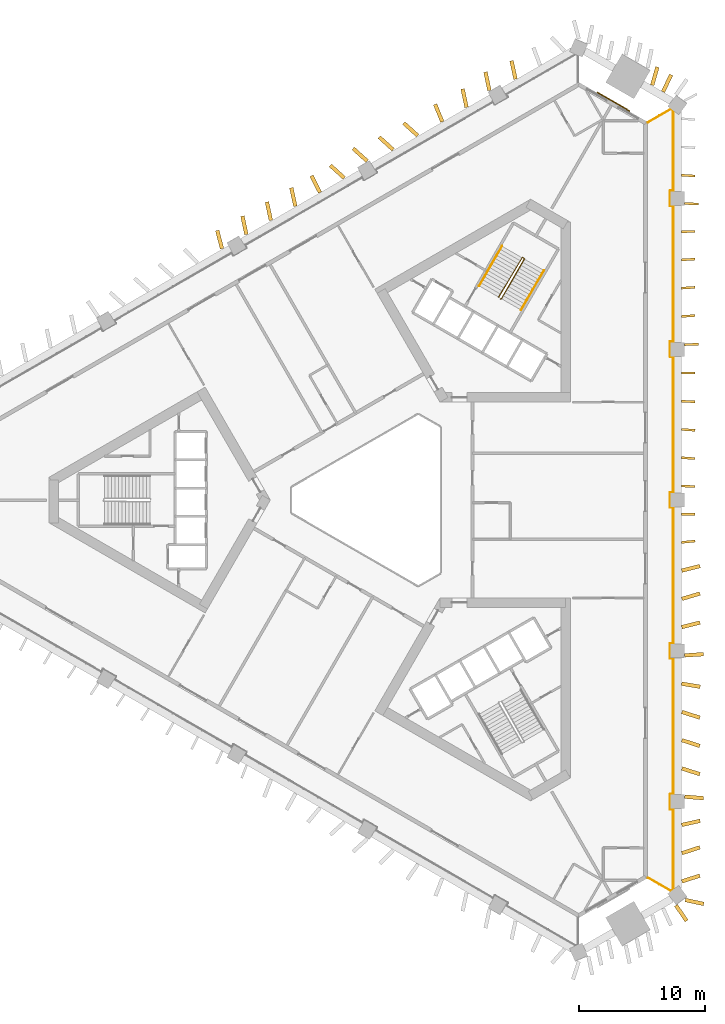
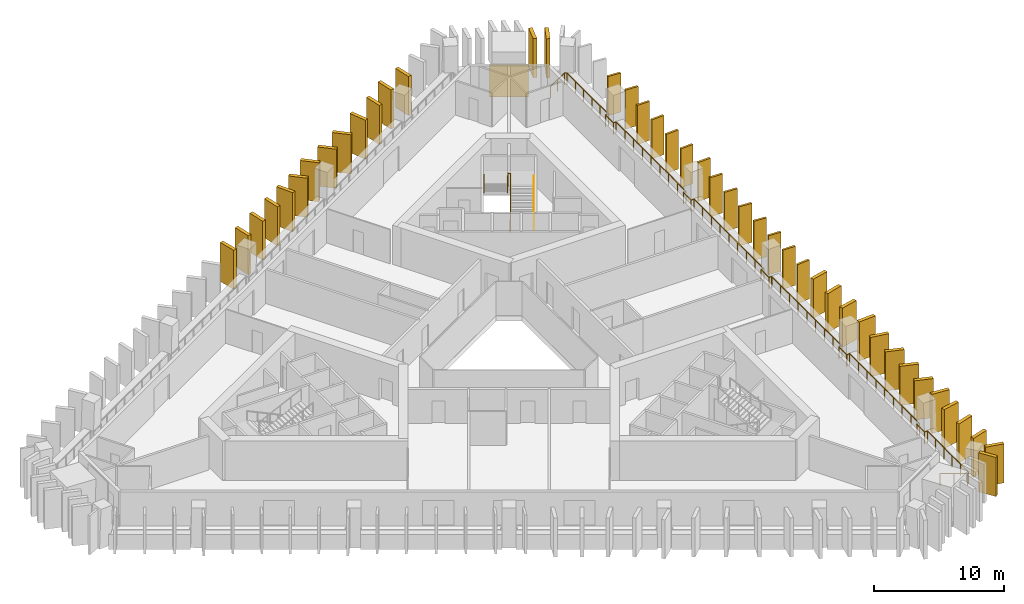
# One storey, part 10 of 11: 43 shading devices, 4 railings, 1 covering.
"""IFC4 building model written with IfcOpenShell, lengths in metres."""

from ifc_helpers import new_model, si_unit, direction, frame, frame_2d, origin, origin_2d, place, context, subcontext, project, spatial, rectangle, circle, extrude, material, layer, layer_set, type_object, element, save


model = new_model("IFC4")

# Units and contexts
model_context = context("Model", 3, precision=1e-05, world=origin(), true_north=direction((0.0, 1.0)))
body_context = subcontext(model_context, "Body", "Model", "MODEL_VIEW")
ifc_project = project(units=[si_unit("LENGTHUNIT", "METRE"), si_unit("AREAUNIT", "SQUARE_METRE"), si_unit("VOLUMEUNIT", "CUBIC_METRE"), si_unit("PLANEANGLEUNIT", "RADIAN"), si_unit("MASSUNIT", "GRAM", prefix="KILO")], contexts=[model_context])

# Site, building, storey
site_placement = place(None, origin())
site = spatial("IfcSite", under=ifc_project, at=site_placement, CompositionType="ELEMENT")
building_placement = place(site_placement, origin())
building = spatial("IfcBuilding", under=site, at=building_placement, Name="Jabali Bay Hotel Tower and Convention Centre", CompositionType="ELEMENT")
storey_placement = place(building_placement, frame((0.0, 0.0, 61.0)))
storey = spatial("IfcBuildingStorey", under=building, at=storey_placement, Name="L13", CompositionType="ELEMENT", Elevation=61.0)

# Railing
ifc_material_1 = material(Name="Glass", Category="glass")
railing_type_1 = type_object("IfcRailingType", Name="Loggia glass guard 1100", PredefinedType="BALUSTRADE", material=ifc_material_1)
railing_1_placement = place(storey_placement, frame((96.07421875, 110.0703125, 0.0)))
element("IfcRailing", 1, at=railing_1_placement, inside=storey, type_object=railing_type_1, Name="Loggia glass guard L13", PredefinedType="BALUSTRADE", context=body_context, shape_type="SweptSolid", body=[
    extrude(circle(Radius=0.02490234375, at=origin_2d()), frame((0.0, 0.0, 1.0751953125), z_axis=(0.865977518836, 0.500082929993, 0.0), x_axis=(-0.495804651202, 0.858568961115, 0.13052619222)), (0.0, 0.0, 1.0), 2.110595703125),
    extrude(circle(Radius=0.02490234375, at=origin_2d()), frame((1.82763671875, 1.055419921875, 1.0751953125), z_axis=(0.802448385705, -0.596721533279, 0.0), x_axis=(0.591616497841, 0.795583328525, 0.13052619222)), (0.0, 0.0, 1.0), 0.21484375),
    extrude(circle(Radius=0.02490234375, at=origin_2d()), frame((2.0, 0.92724609375, 1.0751953125), z_axis=(0.0, -1.0, 0.0), x_axis=(0.991444861374, 0.0, 0.13052619222)), (0.0, 0.0, 1.0), 6.378662109375),
    extrude(circle(Radius=0.02490234375, at=origin_2d()), frame((2.0, -5.451416015625, 1.0751953125), z_axis=(-1.0, 0.0, 0.0), x_axis=(0.0, -0.991444861374, 0.13052619222)), (0.0, 0.0, 1.0), 0.25),
    extrude(circle(Radius=0.02490234375, at=origin_2d()), frame((1.75, -5.451416015625, 1.0751953125), z_axis=(0.0, -1.0, 0.0), x_axis=(0.991444861374, 0.0, 0.13052619222)), (0.0, 0.0, 1.0), 1.199951171875),
    extrude(circle(Radius=0.02490234375, at=origin_2d()), frame((1.75, -6.6513671875, 1.0751953125), z_axis=(1.0, 0.0, 0.0), x_axis=(0.0, 0.991444861374, 0.13052619222)), (0.0, 0.0, 1.0), 0.25),
    extrude(circle(Radius=0.02490234375, at=origin_2d()), frame((2.0, -6.6513671875, 1.0751953125), z_axis=(0.0, -1.0, 0.0), x_axis=(0.991444861374, 0.0, 0.13052619222)), (0.0, 0.0, 1.0), 10.8095703125),
    extrude(circle(Radius=0.02490234375, at=origin_2d()), frame((2.0, -17.4609375, 1.0751953125), z_axis=(-1.0, 0.0, 0.0), x_axis=(0.0, -0.991444861374, 0.13052619222)), (0.0, 0.0, 1.0), 0.25),
    extrude(circle(Radius=0.02490234375, at=origin_2d()), frame((1.75, -17.4609375, 1.0751953125), z_axis=(0.0, -1.0, 0.0), x_axis=(0.991444861374, 0.0, 0.13052619222)), (0.0, 0.0, 1.0), 1.199951171875),
    extrude(circle(Radius=0.02490234375, at=origin_2d()), frame((1.75, -18.660888671875, 1.0751953125), z_axis=(1.0, 0.0, 0.0), x_axis=(0.0, 0.991444861374, 0.13052619222)), (0.0, 0.0, 1.0), 0.25),
    extrude(circle(Radius=0.02490234375, at=origin_2d()), frame((2.0, -18.660888671875, 1.0751953125), z_axis=(0.0, -1.0, 0.0), x_axis=(0.991444861374, 0.0, 0.13052619222)), (0.0, 0.0, 1.0), 10.809326171875),
    extrude(circle(Radius=0.02490234375, at=origin_2d()), frame((2.0, -29.47021484375, 1.0751953125), z_axis=(-1.0, 0.0, 0.0), x_axis=(0.0, -0.991444861374, 0.13052619222)), (0.0, 0.0, 1.0), 0.25),
    extrude(circle(Radius=0.02490234375, at=origin_2d()), frame((1.75, -29.47021484375, 1.0751953125), z_axis=(0.0, -1.0, 0.0), x_axis=(0.991444861374, 0.0, 0.13052619222)), (0.0, 0.0, 1.0), 1.2001953125),
    extrude(circle(Radius=0.02490234375, at=origin_2d()), frame((1.75, -30.67041015625, 1.0751953125), z_axis=(1.0, 0.0, 0.0), x_axis=(0.0, 0.991444861374, 0.13052619222)), (0.0, 0.0, 1.0), 0.25),
    extrude(circle(Radius=0.02490234375, at=origin_2d()), frame((2.0, -30.67041015625, 1.0751953125), z_axis=(0.0, -1.0, 0.0), x_axis=(0.991444861374, 0.0, 0.13052619222)), (0.0, 0.0, 1.0), 10.809326171875),
    extrude(circle(Radius=0.02490234375, at=origin_2d()), frame((2.0, -41.479736328125, 1.0751953125), z_axis=(-1.0, 0.0, 0.0), x_axis=(0.0, -0.991444861374, 0.13052619222)), (0.0, 0.0, 1.0), 0.25),
    extrude(circle(Radius=0.02490234375, at=origin_2d()), frame((1.75, -41.479736328125, 1.0751953125), z_axis=(0.0, -1.0, 0.0), x_axis=(0.991444861374, 0.0, 0.13052619222)), (0.0, 0.0, 1.0), 1.199951171875),
    extrude(circle(Radius=0.02490234375, at=origin_2d()), frame((1.75, -42.6796875, 1.0751953125), z_axis=(1.0, 0.0, 0.0), x_axis=(0.0, 0.991444861374, 0.13052619222)), (0.0, 0.0, 1.0), 0.25),
    extrude(circle(Radius=0.02490234375, at=origin_2d()), frame((2.0, -42.6796875, 1.0751953125), z_axis=(0.0, -1.0, 0.0), x_axis=(0.991444861374, 0.0, 0.13052619222)), (0.0, 0.0, 1.0), 10.8095703125),
    extrude(circle(Radius=0.02490234375, at=origin_2d()), frame((2.0, -53.4892578125, 1.0751953125), z_axis=(-1.0, 0.0, 0.0), x_axis=(0.0, -0.991444861374, 0.13052619222)), (0.0, 0.0, 1.0), 0.25),
    extrude(circle(Radius=0.02490234375, at=origin_2d()), frame((1.75, -53.4892578125, 1.0751953125), z_axis=(0.0, -1.0, 0.0), x_axis=(0.991444861374, 0.0, 0.13052619222)), (0.0, 0.0, 1.0), 1.199951171875),
    extrude(circle(Radius=0.02490234375, at=origin_2d()), frame((1.75, -54.689208984375, 1.0751953125), z_axis=(1.0, 0.0, 0.0), x_axis=(0.0, 0.991444861374, 0.13052619222)), (0.0, 0.0, 1.0), 0.25),
    extrude(circle(Radius=0.02490234375, at=origin_2d()), frame((2.0, -54.689208984375, 1.0751953125), z_axis=(0.0, -1.0, 0.0), x_axis=(0.991444861374, 0.0, 0.13052619222)), (0.0, 0.0, 1.0), 6.378662109375),
    extrude(circle(Radius=0.02490234375, at=origin_2d()), frame((2.0, -61.06787109375, 1.0751953125), z_axis=(-0.802448385705, -0.596721533279, 0.0), x_axis=(0.591616497841, -0.795583328525, 0.13052619222)), (0.0, 0.0, 1.0), 0.21484375),
    extrude(circle(Radius=0.02490234375, at=origin_2d()), frame((1.82763671875, -61.196044921875, 1.0751953125), z_axis=(-0.865977518836, 0.500082929993, 0.0), x_axis=(-0.495804651202, -0.858568961115, 0.13052619222)), (0.0, 0.0, 1.0), 2.110595703125),
    extrude(circle(Radius=0.02001953125, at=origin_2d()), origin(), (0.0, 0.0, 1.0), 1.050048828125),
    extrude(circle(Radius=0.02001953125, at=origin_2d()), frame((0.913818359375, 0.52783203125, 0.0)), (0.0, 0.0, 1.0), 1.050048828125),
    extrude(circle(Radius=0.02001953125, at=origin_2d()), frame((1.82763671875, 1.055419921875, 0.0)), (0.0, 0.0, 1.0), 1.050048828125),
    extrude(circle(Radius=0.02001953125, at=origin_2d()), frame((2.0, 0.92724609375, 0.0)), (0.0, 0.0, 1.0), 1.050048828125),
    extrude(circle(Radius=0.02001953125, at=origin_2d()), frame((2.0, -0.348388671875, 0.0)), (0.0, 0.0, 1.0), 1.050048828125),
    extrude(circle(Radius=0.02001953125, at=origin_2d()), frame((2.0, -1.624267578125, 0.0)), (0.0, 0.0, 1.0), 1.050048828125),
    extrude(circle(Radius=0.02001953125, at=origin_2d()), frame((2.0, -2.89990234375, 0.0)), (0.0, 0.0, 1.0), 1.050048828125),
    extrude(circle(Radius=0.02001953125, at=origin_2d()), frame((2.0, -4.17578125, 0.0)), (0.0, 0.0, 1.0), 1.050048828125),
    extrude(circle(Radius=0.02001953125, at=origin_2d()), frame((2.0, -5.451416015625, 0.0)), (0.0, 0.0, 1.0), 1.050048828125),
    extrude(circle(Radius=0.02001953125, at=origin_2d()), frame((1.75, -5.451416015625, 0.0)), (0.0, 0.0, 1.0), 1.050048828125),
    extrude(circle(Radius=0.02001953125, at=origin_2d()), frame((1.75, -6.6513671875, 0.0)), (0.0, 0.0, 1.0), 1.050048828125),
    extrude(circle(Radius=0.02001953125, at=origin_2d()), frame((2.0, -6.6513671875, 0.0)), (0.0, 0.0, 1.0), 1.050048828125),
    extrude(circle(Radius=0.02001953125, at=origin_2d()), frame((2.0, -8.00244140625, 0.0)), (0.0, 0.0, 1.0), 1.050048828125),
    extrude(circle(Radius=0.02001953125, at=origin_2d()), frame((2.0, -9.353759765625, 0.0)), (0.0, 0.0, 1.0), 1.050048828125),
    extrude(circle(Radius=0.02001953125, at=origin_2d()), frame((2.0, -10.705078125, 0.0)), (0.0, 0.0, 1.0), 1.050048828125),
    extrude(circle(Radius=0.02001953125, at=origin_2d()), frame((2.0, -12.05615234375, 0.0)), (0.0, 0.0, 1.0), 1.050048828125),
    extrude(circle(Radius=0.02001953125, at=origin_2d()), frame((2.0, -13.4072265625, 0.0)), (0.0, 0.0, 1.0), 1.050048828125),
    extrude(circle(Radius=0.02001953125, at=origin_2d()), frame((2.0, -14.758544921875, 0.0)), (0.0, 0.0, 1.0), 1.050048828125),
    extrude(circle(Radius=0.02001953125, at=origin_2d()), frame((2.0, -16.10986328125, 0.0)), (0.0, 0.0, 1.0), 1.050048828125),
    extrude(circle(Radius=0.02001953125, at=origin_2d()), frame((2.0, -17.4609375, 0.0)), (0.0, 0.0, 1.0), 1.050048828125),
    extrude(circle(Radius=0.02001953125, at=origin_2d()), frame((1.75, -17.4609375, 0.0)), (0.0, 0.0, 1.0), 1.050048828125),
    extrude(circle(Radius=0.02001953125, at=origin_2d()), frame((1.75, -18.660888671875, 0.0)), (0.0, 0.0, 1.0), 1.050048828125),
    extrude(circle(Radius=0.02001953125, at=origin_2d()), frame((2.0, -18.660888671875, 0.0)), (0.0, 0.0, 1.0), 1.050048828125),
    extrude(circle(Radius=0.02001953125, at=origin_2d()), frame((2.0, -20.011962890625, 0.0)), (0.0, 0.0, 1.0), 1.050048828125),
    extrude(circle(Radius=0.02001953125, at=origin_2d()), frame((2.0, -21.36328125, 0.0)), (0.0, 0.0, 1.0), 1.050048828125),
    extrude(circle(Radius=0.02001953125, at=origin_2d()), frame((2.0, -22.71435546875, 0.0)), (0.0, 0.0, 1.0), 1.050048828125),
    extrude(circle(Radius=0.02001953125, at=origin_2d()), frame((2.0, -24.0654296875, 0.0)), (0.0, 0.0, 1.0), 1.050048828125),
    extrude(circle(Radius=0.02001953125, at=origin_2d()), frame((2.0, -25.416748046875, 0.0)), (0.0, 0.0, 1.0), 1.050048828125),
    extrude(circle(Radius=0.02001953125, at=origin_2d()), frame((2.0, -26.767822265625, 0.0)), (0.0, 0.0, 1.0), 1.050048828125),
    extrude(circle(Radius=0.02001953125, at=origin_2d()), frame((2.0, -28.119140625, 0.0)), (0.0, 0.0, 1.0), 1.050048828125),
    extrude(circle(Radius=0.02001953125, at=origin_2d()), frame((2.0, -29.47021484375, 0.0)), (0.0, 0.0, 1.0), 1.050048828125),
    extrude(circle(Radius=0.02001953125, at=origin_2d()), frame((1.75, -29.47021484375, 0.0)), (0.0, 0.0, 1.0), 1.050048828125),
    extrude(circle(Radius=0.02001953125, at=origin_2d()), frame((1.75, -30.67041015625, 0.0)), (0.0, 0.0, 1.0), 1.050048828125),
    extrude(circle(Radius=0.02001953125, at=origin_2d()), frame((2.0, -30.67041015625, 0.0)), (0.0, 0.0, 1.0), 1.050048828125),
    extrude(circle(Radius=0.02001953125, at=origin_2d()), frame((2.0, -32.021484375, 0.0)), (0.0, 0.0, 1.0), 1.050048828125),
    extrude(circle(Radius=0.02001953125, at=origin_2d()), frame((2.0, -33.372802734375, 0.0)), (0.0, 0.0, 1.0), 1.050048828125),
    extrude(circle(Radius=0.02001953125, at=origin_2d()), frame((2.0, -34.723876953125, 0.0)), (0.0, 0.0, 1.0), 1.050048828125),
    extrude(circle(Radius=0.02001953125, at=origin_2d()), frame((2.0, -36.0751953125, 0.0)), (0.0, 0.0, 1.0), 1.050048828125),
    extrude(circle(Radius=0.02001953125, at=origin_2d()), frame((2.0, -37.42626953125, 0.0)), (0.0, 0.0, 1.0), 1.050048828125),
    extrude(circle(Radius=0.02001953125, at=origin_2d()), frame((2.0, -38.77734375, 0.0)), (0.0, 0.0, 1.0), 1.050048828125),
    extrude(circle(Radius=0.02001953125, at=origin_2d()), frame((2.0, -40.128662109375, 0.0)), (0.0, 0.0, 1.0), 1.050048828125),
    extrude(circle(Radius=0.02001953125, at=origin_2d()), frame((2.0, -41.479736328125, 0.0)), (0.0, 0.0, 1.0), 1.050048828125),
    extrude(circle(Radius=0.02001953125, at=origin_2d()), frame((1.75, -41.479736328125, 0.0)), (0.0, 0.0, 1.0), 1.050048828125),
    extrude(circle(Radius=0.02001953125, at=origin_2d()), frame((1.75, -42.6796875, 0.0)), (0.0, 0.0, 1.0), 1.050048828125),
    extrude(circle(Radius=0.02001953125, at=origin_2d()), frame((2.0, -42.6796875, 0.0)), (0.0, 0.0, 1.0), 1.050048828125),
    extrude(circle(Radius=0.02001953125, at=origin_2d()), frame((2.0, -44.03076171875, 0.0)), (0.0, 0.0, 1.0), 1.050048828125),
    extrude(circle(Radius=0.02001953125, at=origin_2d()), frame((2.0, -45.382080078125, 0.0)), (0.0, 0.0, 1.0), 1.050048828125),
    extrude(circle(Radius=0.02001953125, at=origin_2d()), frame((2.0, -46.7333984375, 0.0)), (0.0, 0.0, 1.0), 1.050048828125),
    extrude(circle(Radius=0.02001953125, at=origin_2d()), frame((2.0, -48.08447265625, 0.0)), (0.0, 0.0, 1.0), 1.050048828125),
    extrude(circle(Radius=0.02001953125, at=origin_2d()), frame((2.0, -49.435546875, 0.0)), (0.0, 0.0, 1.0), 1.050048828125),
    extrude(circle(Radius=0.02001953125, at=origin_2d()), frame((2.0, -50.786865234375, 0.0)), (0.0, 0.0, 1.0), 1.050048828125),
    extrude(circle(Radius=0.02001953125, at=origin_2d()), frame((2.0, -52.13818359375, 0.0)), (0.0, 0.0, 1.0), 1.050048828125),
    extrude(circle(Radius=0.02001953125, at=origin_2d()), frame((2.0, -53.4892578125, 0.0)), (0.0, 0.0, 1.0), 1.050048828125),
    extrude(circle(Radius=0.02001953125, at=origin_2d()), frame((1.75, -53.4892578125, 0.0)), (0.0, 0.0, 1.0), 1.050048828125),
    extrude(circle(Radius=0.02001953125, at=origin_2d()), frame((1.75, -54.689208984375, 0.0)), (0.0, 0.0, 1.0), 1.050048828125),
    extrude(circle(Radius=0.02001953125, at=origin_2d()), frame((2.0, -54.689208984375, 0.0)), (0.0, 0.0, 1.0), 1.050048828125),
    extrude(circle(Radius=0.02001953125, at=origin_2d()), frame((2.0, -55.96484375, 0.0)), (0.0, 0.0, 1.0), 1.050048828125),
    extrude(circle(Radius=0.02001953125, at=origin_2d()), frame((2.0, -57.24072265625, 0.0)), (0.0, 0.0, 1.0), 1.050048828125),
    extrude(circle(Radius=0.02001953125, at=origin_2d()), frame((2.0, -58.516357421875, 0.0)), (0.0, 0.0, 1.0), 1.050048828125),
    extrude(circle(Radius=0.02001953125, at=origin_2d()), frame((2.0, -59.792236328125, 0.0)), (0.0, 0.0, 1.0), 1.050048828125),
    extrude(circle(Radius=0.02001953125, at=origin_2d()), frame((2.0, -61.06787109375, 0.0)), (0.0, 0.0, 1.0), 1.050048828125),
    extrude(circle(Radius=0.02001953125, at=origin_2d()), frame((1.82763671875, -61.196044921875, 0.0)), (0.0, 0.0, 1.0), 1.050048828125),
    extrude(circle(Radius=0.02001953125, at=origin_2d()), frame((0.913818359375, -60.66845703125, 0.0)), (0.0, 0.0, 1.0), 1.050048828125),
    extrude(circle(Radius=0.02001953125, at=origin_2d()), frame((0.0, -60.140625, 0.0)), (0.0, 0.0, 1.0), 1.050048828125),
])

# Shading devices
ifc_material_2 = material(Name="Precast concrete C60", Category="concrete")
ifc_layer_1 = layer(ifc_material_2, 0.179931640625)
ifc_layer_set_1 = layer_set([ifc_layer_1], Name="Precast concrete C60")
shading_device_type_1 = type_object("IfcShadingDeviceType", Name="Precast fin 3680 x 1100", PredefinedType="USERDEFINED", material=ifc_layer_set_1)
for number, where, z_axis, x_axis, name in (
    (2, (98.7255859375, 76.626708984375, 0.010009765625), (0.0, 0.0, 1.0), (0.994888883713, 0.100975784539, 0.0), "Fin L13 012"),
    (3, (98.716796875, 78.87548828125, 0.010009765625), (0.0, 0.0, 1.0), (0.999992883264, -0.003772720598, 0.0), "Fin L13 013"),
    (4, (98.72119140625, 81.12451171875, 0.010009765625), (0.0, 0.0, 1.0), (0.998650735692, -0.051929838256, 0.0), "Fin L13 014"),
):
    element("IfcShadingDevice", number, at=place(storey_placement, frame(where, z_axis=z_axis, x_axis=x_axis)), inside=storey, type_object=shading_device_type_1, Name=name, ObjectType="FIN", PredefinedType="USERDEFINED", context=body_context, shape_type="SweptSolid", body=[
        extrude(rectangle(XDim=1.10009765625, YDim=0.179931640625, at=frame_2d((0.550048828125, 0.0))), origin(), (0.0, 0.0, 1.0), 3.679931640625),
    ])
shading_device_1_placement = place(storey_placement, frame((98.722900390625, 83.373291015625, 0.010009765625), z_axis=(0.0, 0.0, 1.0), x_axis=(0.997552468605, -0.069921902005, 0.0)))
element("IfcShadingDevice", 5, at=shading_device_1_placement, inside=storey, type_object=shading_device_type_1, Name="Fin L13 015", ObjectType="FIN", PredefinedType="USERDEFINED", context=body_context, shape_type="SweptSolid", body=[
    extrude(rectangle(XDim=1.099853515625, YDim=0.179931640625, at=frame_2d((0.5498046875, 0.0))), origin(), (0.0, 0.0, 1.0), 3.679931640625),
])
shading_device_2_placement = place(storey_placement, frame((98.722412109375, 85.622314453125, 0.010009765625), z_axis=(0.0, 0.0, 1.0), x_axis=(0.997854335068, -0.065473093604, 0.0)))
element("IfcShadingDevice", 6, at=shading_device_2_placement, inside=storey, type_object=shading_device_type_1, Name="Fin L13 016", ObjectType="FIN", PredefinedType="USERDEFINED", context=body_context, shape_type="SweptSolid", body=[
    extrude(rectangle(XDim=1.10009765625, YDim=0.179931640625, at=frame_2d((0.550048828125, 0.0))), origin(), (0.0, 0.0, 1.0), 3.679931640625),
])
shading_device_3_placement = place(storey_placement, frame((98.720947265625, 87.871337890625, 0.010009765625), z_axis=(0.0, 0.0, 1.0), x_axis=(0.998796226483, -0.049051992456, 0.0)))
element("IfcShadingDevice", 7, at=shading_device_3_placement, inside=storey, type_object=shading_device_type_1, Name="Fin L13 017", ObjectType="FIN", PredefinedType="USERDEFINED", context=body_context, shape_type="SweptSolid", body=[
    extrude(rectangle(XDim=1.099853515625, YDim=0.179931640625, at=frame_2d((0.5498046875, 0.0))), origin(), (0.0, 0.0, 1.0), 3.679931640625),
])
for number, where, z_axis, x_axis, name in (
    (8, (98.71728515625, 90.1201171875, 0.010009765625), (0.0, 0.0, 1.0), (0.999964442464, -0.008432900314, 0.0), "Fin L13 018"),
    (9, (98.977294921875, 92.369140625, 0.010009765625), (0.0, 0.0, 1.0), (0.999271301128, 0.038168923783, 0.0), "Fin L13 019"),
    (10, (98.72216796875, 94.617919921875, 0.010009765625), (0.0, 0.0, 1.0), (0.998025716634, 0.062806599468, 0.0), "Fin L13 020"),
    (11, (98.72216796875, 96.866943359375, 0.010009765625), (0.0, 0.0, 1.0), (0.998039603586, 0.062585538851, 0.0), "Fin L13 021"),
    (12, (98.721923828125, 99.11572265625, 0.010009765625), (0.0, 0.0, 1.0), (0.998136278299, 0.061024338936, 0.0), "Fin L13 022"),
):
    element("IfcShadingDevice", number, at=place(storey_placement, frame(where, z_axis=z_axis, x_axis=x_axis)), inside=storey, type_object=shading_device_type_1, Name=name, ObjectType="FIN", PredefinedType="USERDEFINED", context=body_context, shape_type="SweptSolid", body=[
        extrude(rectangle(XDim=1.10009765625, YDim=0.179931640625, at=frame_2d((0.550048828125, 0.0))), origin(), (0.0, 0.0, 1.0), 3.679931640625),
    ])
shading_device_4_placement = place(storey_placement, frame((98.717529296875, 101.36474609375, 0.010009765625), z_axis=(0.0, 0.0, 1.0), x_axis=(0.999950114659, 0.009988402921, 0.0)))
element("IfcShadingDevice", 13, at=shading_device_4_placement, inside=storey, type_object=shading_device_type_1, Name="Fin L13 023", ObjectType="FIN", PredefinedType="USERDEFINED", context=body_context, shape_type="SweptSolid", body=[
    extrude(rectangle(XDim=1.099853515625, YDim=0.179931640625, at=frame_2d((0.5498046875, 0.0))), origin(), (0.0, 0.0, 1.0), 3.679931640625),
])
for number, where, z_axis, x_axis, name in (
    (14, (98.978759765625, 103.61376953125, 0.010009765625), (0.0, 0.0, 1.0), (0.998718910442, -0.050601758129, 0.0), "Fin L13 024"),
    (15, (98.72216796875, 105.862548828125, 0.010009765625), (0.0, 0.0, 1.0), (0.997983764355, -0.063469725729, 0.0), "Fin L13 025"),
):
    element("IfcShadingDevice", number, at=place(storey_placement, frame(where, z_axis=z_axis, x_axis=x_axis)), inside=storey, type_object=shading_device_type_1, Name=name, ObjectType="FIN", PredefinedType="USERDEFINED", context=body_context, shape_type="SweptSolid", body=[
        extrude(rectangle(XDim=1.10009765625, YDim=0.179931640625, at=frame_2d((0.550048828125, 0.0))), origin(), (0.0, 0.0, 1.0), 3.679931640625),
    ])
ifc_layer_2 = layer(ifc_material_2, 0.300048828125)
ifc_layer_set_2 = layer_set([ifc_layer_2], Name="Precast concrete C60")
shading_device_type_2 = type_object("IfcShadingDeviceType", Name="Precast fin 3680 x 1500", PredefinedType="USERDEFINED", material=ifc_layer_set_2)
for number, where, z_axis, x_axis, name in (
    (16, (98.762451171875, 49.6396484375, 0.010009765625), (0.0, 0.0, 1.0), (0.951825135568, 0.306641339844, 0.0), "Fin L13 000"),
    (17, (98.762451171875, 51.888427734375, 0.010009765625), (0.0, 0.0, 1.0), (0.951777621698, 0.30678878538, 0.0), "Fin L13 001"),
):
    element("IfcShadingDevice", number, at=place(storey_placement, frame(where, z_axis=z_axis, x_axis=x_axis)), inside=storey, type_object=shading_device_type_2, Name=name, ObjectType="FIN", PredefinedType="USERDEFINED", context=body_context, shape_type="SweptSolid", body=[
        extrude(rectangle(XDim=1.5, YDim=0.300048828125, at=frame_2d((0.75, 0.0))), origin(), (0.0, 0.0, 1.0), 3.679931640625),
    ])
shading_device_5_placement = place(storey_placement, frame((98.749267578125, 54.137451171875, 0.010009765625), z_axis=(0.0, 0.0, 1.0), x_axis=(0.976029769444, 0.21763705833, 0.0)))
element("IfcShadingDevice", 18, at=shading_device_5_placement, inside=storey, type_object=shading_device_type_2, Name="Fin L13 002", ObjectType="FIN", PredefinedType="USERDEFINED", context=body_context, shape_type="SweptSolid", body=[
    extrude(rectangle(XDim=1.499755859375, YDim=0.300048828125, at=frame_2d((0.75, 0.0))), origin(), (0.0, 0.0, 1.0), 3.679931640625),
])
for number, where, z_axis, x_axis, name in (
    (19, (98.986083984375, 56.38623046875, 0.010009765625), (0.0, 0.0, 1.0), (0.996749214487, -0.080566763744, 0.0), "Fin L13 003"),
    (20, (98.762451171875, 58.63525390625, 0.010009765625), (0.0, 0.0, 1.0), (0.951777621698, -0.30678878538, 0.0), "Fin L13 004"),
    (21, (98.762451171875, 60.88427734375, 0.010009765625), (0.0, 0.0, 1.0), (0.951777621698, -0.30678878538, 0.0), "Fin L13 005"),
    (22, (98.762451171875, 63.133056640625, 0.010009765625), (0.0, 0.0, 1.0), (0.951825135568, -0.306641339844, 0.0), "Fin L13 006"),
    (23, (98.7412109375, 65.382080078125, 0.010009765625), (0.0, 0.0, 1.0), (0.986393923832, -0.164398987305, 0.0), "Fin L13 007"),
    (24, (98.98388671875, 67.630859375, 0.010009765625), (0.0, 0.0, 1.0), (0.997857297457, 0.065427929143, 0.0), "Fin L13 008"),
    (25, (98.753662109375, 69.8798828125, 0.010009765625), (0.0, 0.0, 1.0), (0.968875365147, 0.247549039205, 0.0), "Fin L13 009"),
    (26, (98.759521484375, 72.128662109375, 0.010009765625), (0.0, 0.0, 1.0), (0.958232995449, 0.285988682352, 0.0), "Fin L13 010"),
    (27, (98.753173828125, 74.377685546875, 0.010009765625), (0.0, 0.0, 1.0), (0.969536346338, 0.244947490555, 0.0), "Fin L13 011"),
    (28, (97.261962890625, 112.500732421875, 0.010009765625), (0.0, 0.0, 1.0), (0.430009392701, 0.90282441382, 0.0), "Fin L13 029"),
):
    element("IfcShadingDevice", number, at=place(storey_placement, frame(where, z_axis=z_axis, x_axis=x_axis)), inside=storey, type_object=shading_device_type_2, Name=name, ObjectType="FIN", PredefinedType="USERDEFINED", context=body_context, shape_type="SweptSolid", body=[
        extrude(rectangle(XDim=1.5, YDim=0.300048828125, at=frame_2d((0.75, 0.0))), origin(), (0.0, 0.0, 1.0), 3.679931640625),
    ])
shading_device_6_placement = place(storey_placement, frame((96.39990234375, 113.027099609375, 0.010009765625), z_axis=(0.0, 0.0, 1.0), x_axis=(0.273968543255, 0.961738653329, 0.0)))
element("IfcShadingDevice", 29, at=shading_device_6_placement, inside=storey, type_object=shading_device_type_2, Name="Fin L13 030", ObjectType="FIN", PredefinedType="USERDEFINED", context=body_context, shape_type="SweptSolid", body=[
    extrude(rectangle(XDim=1.499755859375, YDim=0.300048828125, at=frame_2d((0.75, 0.0))), origin(), (0.0, 0.0, 1.0), 3.679931640625),
])
for number, where, z_axis, x_axis, name in (
    (30, (85.5166015625, 113.510009765625, 0.010009765625), (0.0, 0.0, 1.0), (-0.212551264392, 0.977149916853, 0.0), "Fin L13 039"),
    (31, (83.43994140625, 112.608642578125, 0.010009765625), (0.0, 0.0, 1.0), (-0.21077383225, 0.977534854437, 0.0), "Fin L13 040"),
    (32, (81.62109375, 111.26123046875, 0.010009765625), (0.0, 0.0, 1.0), (-0.210273710971, 0.977642555577, 0.0), "Fin L13 041"),
    (33, (79.686279296875, 110.11474609375, 0.010009765625), (0.0, 0.0, 1.0), (-0.377751786788, 0.92590690006, 0.0), "Fin L13 042"),
    (34, (77.725830078125, 109.012451171875, 0.010009765625), (0.0, 0.0, 1.0), (-0.741543490988, 0.670904800231, 0.0), "Fin L13 043"),
    (35, (75.7783203125, 107.887939453125, 0.010009765625), (0.0, 0.0, 1.0), (-0.741543490988, 0.670904800231, 0.0), "Fin L13 044"),
):
    element("IfcShadingDevice", number, at=place(storey_placement, frame(where, z_axis=z_axis, x_axis=x_axis)), inside=storey, type_object=shading_device_type_2, Name=name, ObjectType="FIN", PredefinedType="USERDEFINED", context=body_context, shape_type="SweptSolid", body=[
        extrude(rectangle(XDim=1.5, YDim=0.300048828125, at=frame_2d((0.75, 0.0))), origin(), (0.0, 0.0, 1.0), 3.679931640625),
    ])
shading_device_7_placement = place(storey_placement, frame((73.701904296875, 106.986572265625, 0.010009765625), z_axis=(0.0, 0.0, 1.0), x_axis=(-0.741624469332, 0.670815284925, 0.0)))
element("IfcShadingDevice", 36, at=shading_device_7_placement, inside=storey, type_object=shading_device_type_2, Name="Fin L13 045", ObjectType="FIN", PredefinedType="USERDEFINED", context=body_context, shape_type="SweptSolid", body=[
    extrude(rectangle(XDim=1.499755859375, YDim=0.300048828125, at=frame_2d((0.75, 0.0))), origin(), (0.0, 0.0, 1.0), 3.679931640625),
])
for number, where, z_axis, x_axis, name in (
    (37, (71.883056640625, 105.63916015625, 0.010009765625), (0.0, 0.0, 1.0), (-0.741543490988, 0.670904800231, 0.0), "Fin L13 046"),
    (38, (69.954833984375, 104.481201171875, 0.010009765625), (0.0, 0.0, 1.0), (-0.456888230663, 0.889524111355, 0.0), "Fin L13 047"),
    (39, (67.98779296875, 103.39013671875, 0.010009765625), (0.0, 0.0, 1.0), (-0.210273710971, 0.977642555577, 0.0), "Fin L13 048"),
    (40, (66.0400390625, 102.265625, 0.010009765625), (0.0, 0.0, 1.0), (-0.210118148459, 0.977676001387, 0.0), "Fin L13 049"),
    (41, (64.092529296875, 101.14111328125, 0.010009765625), (0.0, 0.0, 1.0), (-0.210273710971, 0.977642555577, 0.0), "Fin L13 050"),
    (42, (62.147705078125, 100.011962890625, 0.010009765625), (0.0, 0.0, 1.0), (-0.247701810446, 0.968836319045, 0.0), "Fin L13 051"),
    (43, (98.29248046875, 47.733154296875, 0.010009765625), (0.0, 0.0, 1.0), (0.564316249847, -0.825558701825, 0.0), "Fin L13 110"),
):
    element("IfcShadingDevice", number, at=place(storey_placement, frame(where, z_axis=z_axis, x_axis=x_axis)), inside=storey, type_object=shading_device_type_2, Name=name, ObjectType="FIN", PredefinedType="USERDEFINED", context=body_context, shape_type="SweptSolid", body=[
        extrude(rectangle(XDim=1.5, YDim=0.300048828125, at=frame_2d((0.75, 0.0))), origin(), (0.0, 0.0, 1.0), 3.679931640625),
    ])
shading_device_8_placement = place(storey_placement, frame((99.035888671875, 48.161865234375, 0.010009765625), z_axis=(0.0, 0.0, 1.0), x_axis=(0.977668814048, -0.210151588234, 0.0)))
element("IfcShadingDevice", 44, at=shading_device_8_placement, inside=storey, type_object=shading_device_type_2, Name="Fin L13 111", ObjectType="FIN", PredefinedType="USERDEFINED", context=body_context, shape_type="SweptSolid", body=[
    extrude(rectangle(XDim=1.499755859375, YDim=0.300048828125, at=frame_2d((0.75, 0.0))), origin(), (0.0, 0.0, 1.0), 3.679931640625),
])

# Covering
ifc_material_3 = material(Name="Precast concrete C40/50", Category="concrete")
ifc_layer_3 = layer(ifc_material_3, 0.080078125)
ifc_layer_set_3 = layer_set([ifc_layer_3], Name="Precast concrete C40/50")
covering_type = type_object("IfcCoveringType", Name="Relief panel 3000 x 3000", PredefinedType="CLADDING", material=ifc_layer_set_3)
covering_placement = place(storey_placement, frame((93.309326171875, 111.712890625, 0.10009765625), z_axis=(0.0, 0.0, 1.0), x_axis=(0.866025394429, -0.500000016203, 0.0)))
element("IfcCovering", 45, at=covering_placement, inside=storey, type_object=covering_type, Name="Relief panel L13", PredefinedType="CLADDING", context=body_context, shape_type="SweptSolid", body=[
    extrude(rectangle(XDim=3.0, YDim=0.080078125, at=origin_2d()), origin(), (0.0, 0.0, 1.0), 3.0),
])

# Railings
ifc_material_4 = material(Name="Steel Q355B", Category="steel")
railing_type_2 = type_object("IfcRailingType", Name="Stair guard 1100", PredefinedType="GUARDRAIL", material=ifc_material_4)
railing_2_placement = place(storey_placement, frame((84.329833984375, 96.010009765625, 0.0)))
element("IfcRailing", 46, at=railing_2_placement, inside=storey, type_object=railing_type_2, Name="L13 ST2 stair guard 1", PredefinedType="GUARDRAIL", context=body_context, shape_type="SweptSolid", body=[
    extrude(circle(Radius=0.02392578125, at=origin_2d()), frame((0.0, 0.0, 1.076171875), z_axis=(0.456201556387, 0.122196845461, 0.881446578591), x_axis=(-0.258736085224, 0.965948051503, 0.0)), (0.0, 0.0, 1.0), 0.14990234375),
    extrude(circle(Radius=0.02392578125, at=origin_2d()), frame((0.068359375, 0.018310546875, 1.2080078125), z_axis=(0.45217862506, 0.783169739339, 0.426825081763), x_axis=(-0.866018046521, 0.500012742938, 0.0)), (0.0, 0.0, 1.0), 4.025146484375),
    extrude(circle(Radius=0.02392578125, at=origin_2d()), frame((1.888427734375, 3.170654296875, 2.92626953125), z_axis=(-0.718850276695, 0.695164929852, 0.0), x_axis=(-0.695164929852, -0.718850276695, 0.0)), (0.0, 0.0, 1.0), 0.2060546875),
    extrude(circle(Radius=0.02392578125, at=origin_2d()), frame((1.740234375, 3.31396484375, 2.92626953125), z_axis=(-0.457457462341, -0.768067235091, 0.448113147015), x_axis=(0.859157857954, -0.511710636118, 0.0)), (0.0, 0.0, 1.0), 4.128173828125),
    extrude(circle(Radius=0.02099609375, at=origin_2d()), origin(), (0.0, 0.0, 1.0), 1.052001953125),
    extrude(circle(Radius=0.02099609375, at=origin_2d()), frame((0.068359375, 0.018310546875, 0.132080078125)), (0.0, 0.0, 1.0), 1.052001953125),
    extrude(circle(Radius=0.02099609375, at=origin_2d()), frame((0.5234375, 0.806396484375, 0.5615234375)), (0.0, 0.0, 1.0), 1.052001953125),
    extrude(circle(Radius=0.02099609375, at=origin_2d()), frame((0.978515625, 1.594482421875, 0.9912109375)), (0.0, 0.0, 1.0), 1.052001953125),
    extrude(circle(Radius=0.02099609375, at=origin_2d()), frame((1.433349609375, 2.382568359375, 1.420654296875)), (0.0, 0.0, 1.0), 1.052001953125),
    extrude(circle(Radius=0.02099609375, at=origin_2d()), frame((1.888427734375, 3.170654296875, 1.85009765625)), (0.0, 0.0, 1.0), 1.052001953125),
    extrude(circle(Radius=0.02099609375, at=origin_2d()), frame((1.740234375, 3.31396484375, 1.85009765625)), (0.0, 0.0, 1.0), 1.052001953125),
    extrude(circle(Radius=0.02099609375, at=origin_2d()), frame((1.26806640625, 2.521240234375, 2.3125)), (0.0, 0.0, 1.0), 1.052001953125),
    extrude(circle(Radius=0.02099609375, at=origin_2d()), frame((0.7958984375, 1.728515625, 2.77490234375)), (0.0, 0.0, 1.0), 1.052001953125),
    extrude(circle(Radius=0.02099609375, at=origin_2d()), frame((0.323974609375, 0.93603515625, 3.237548828125)), (0.0, 0.0, 1.0), 1.052001953125),
    extrude(circle(Radius=0.02099609375, at=origin_2d()), frame((-0.148193359375, 0.143310546875, 3.699951171875)), (0.0, 0.0, 1.0), 1.052001953125),
])
railing_type_3 = type_object("IfcRailingType", Name="Stair handrail 900", PredefinedType="HANDRAIL", material=ifc_material_4)
railing_3_placement = place(storey_placement, frame((85.95703125, 95.128173828125, 0.132080078125)))
element("IfcRailing", 47, at=railing_3_placement, inside=storey, type_object=railing_type_3, Name="L13 ST2 stair handrail 1", PredefinedType="HANDRAIL", context=body_context, shape_type="SweptSolid", body=[
    extrude(circle(Radius=0.02392578125, at=origin_2d()), frame((0.0, 0.0, 0.8759765625), z_axis=(0.45217862506, 0.783169739339, 0.426825081763), x_axis=(-0.866018046521, 0.500012742938, 0.0)), (0.0, 0.0, 1.0), 4.025146484375),
    extrude(circle(Radius=0.02099609375, at=origin_2d()), origin(), (0.0, 0.0, 1.0), 0.851806640625),
    extrude(circle(Radius=0.02099609375, at=origin_2d()), frame((0.455078125, 0.7880859375, 0.429443359375)), (0.0, 0.0, 1.0), 0.851806640625),
    extrude(circle(Radius=0.02099609375, at=origin_2d()), frame((0.91015625, 1.576171875, 0.85888671875)), (0.0, 0.0, 1.0), 0.851806640625),
    extrude(circle(Radius=0.02099609375, at=origin_2d()), frame((1.364990234375, 2.3642578125, 1.28857421875)), (0.0, 0.0, 1.0), 0.851806640625),
    extrude(circle(Radius=0.02099609375, at=origin_2d()), frame((1.820068359375, 3.15234375, 1.718017578125)), (0.0, 0.0, 1.0), 0.851806640625),
])
railing_4_placement = place(storey_placement, frame((84.44287109375, 100.20556640625, 1.982177734375)))
element("IfcRailing", 48, at=railing_4_placement, inside=storey, type_object=railing_type_3, Name="L13 ST2 stair handrail 2", PredefinedType="HANDRAIL", context=body_context, shape_type="SweptSolid", body=[
    extrude(circle(Radius=0.02392578125, at=origin_2d()), frame((0.0, 0.0, 0.8759765625), z_axis=(-0.452190331055, -0.783190014029, 0.426775475427), x_axis=(0.866018046521, -0.500012742938, 0.0)), (0.0, 0.0, 1.0), 4.02490234375),
    extrude(circle(Radius=0.02099609375, at=origin_2d()), origin(), (0.0, 0.0, 1.0), 0.851806640625),
    extrude(circle(Radius=0.02099609375, at=origin_2d()), frame((-0.455078125, -0.7880859375, 0.429443359375)), (0.0, 0.0, 1.0), 0.851806640625),
    extrude(circle(Radius=0.02099609375, at=origin_2d()), frame((-0.91015625, -1.576171875, 0.85888671875)), (0.0, 0.0, 1.0), 0.851806640625),
    extrude(circle(Radius=0.02099609375, at=origin_2d()), frame((-1.364990234375, -2.3642578125, 1.288330078125)), (0.0, 0.0, 1.0), 0.851806640625),
    extrude(circle(Radius=0.02099609375, at=origin_2d()), frame((-1.820068359375, -3.15234375, 1.7177734375)), (0.0, 0.0, 1.0), 0.851806640625),
])

save(model, "model.ifc")
